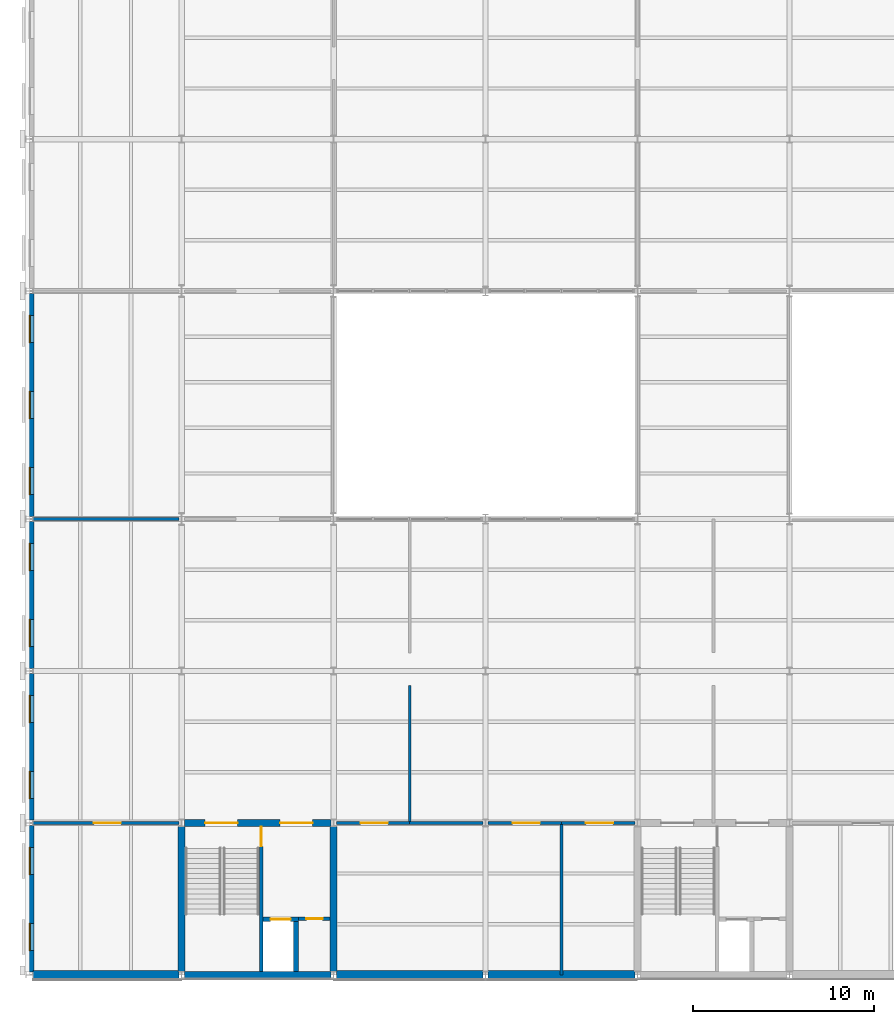
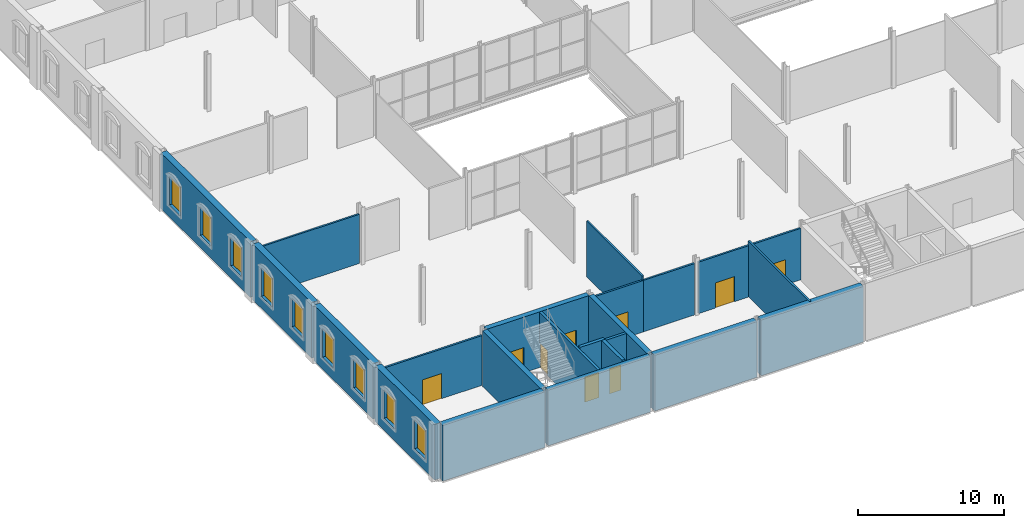
# One storey, part 27 of 57: 23 walls, 9 doors, 9 windows, 18 openings.
"""IFC4 building model written with IfcOpenShell, lengths in metres."""

from ifc_helpers import new_model, si_unit, direction, frame, frame_2d, origin, place, context, subcontext, project, spatial, rectangle, extrude, material, layer, layer_set, type_object, element, fill, save


model = new_model("IFC4")

# Units and contexts
model_context = context("Model", 3, precision=1e-05, world=origin(), true_north=direction((0.0, 1.0)))
body_context = subcontext(model_context, "Body", "Model", "MODEL_VIEW")
ifc_project = project(units=[si_unit("LENGTHUNIT", "METRE"), si_unit("AREAUNIT", "SQUARE_METRE"), si_unit("VOLUMEUNIT", "CUBIC_METRE"), si_unit("PLANEANGLEUNIT", "RADIAN"), si_unit("MASSUNIT", "GRAM", prefix="KILO")], contexts=[model_context])

# Site, building, storey
site_placement = place(None, origin())
site = spatial("IfcSite", under=ifc_project, at=site_placement, CompositionType="ELEMENT")
building_placement = place(site_placement, origin())
building = spatial("IfcBuilding", under=site, at=building_placement, Name="Galleria Vessillo Department Store", CompositionType="ELEMENT")
storey_placement = place(building_placement, frame((0.0, 0.0, 21.0)))
storey = spatial("IfcBuildingStorey", under=building, at=storey_placement, Name="L04", CompositionType="ELEMENT", Elevation=21.0)

# Wall, opening, door
ifc_material_1 = material(Name="Solid clay block masonry", Category="masonry")
ifc_layer_1 = layer(ifc_material_1, 0.25)
ifc_layer_set_1 = layer_set([ifc_layer_1], Name="Solid clay block masonry")
wall_type_1 = type_object("IfcWallType", Name="Lift shaft wall 250 mm", PredefinedType="SOLIDWALL", material=ifc_layer_set_1)
wall_1_placement = place(storey_placement, frame((12.89990234375, 3.074951171875, 0.0), z_axis=(0.0, 0.0, 1.0), x_axis=(1.0, 0.0, 0.0)))
wall_1 = element("IfcWall", 1, at=wall_1_placement, inside=storey, type_object=wall_type_1, Name="Lift shaft wall LP1 landing side L04", PredefinedType="SOLIDWALL", context=body_context, shape_type="SweptSolid", body=[
    extrude(rectangle(XDim=1.9501953125, YDim=0.25, at=frame_2d((0.97509765625, 0.0))), origin(), (0.0, 0.0, 1.0), 4.800048828125),
])
opening_1_placement = place(wall_1_placement, frame((0.425048828125, 0.0, 0.0)))
opening_1 = element("IfcOpeningElement", 2, at=opening_1_placement, cuts=wall_1, Name="Opening LD007", PredefinedType="OPENING", context=body_context, shape_type="SweptSolid", body=[
    extrude(rectangle(XDim=1.10009765625, YDim=2.10009765625, at=frame_2d((0.550048828125, 1.050048828125))), frame((0.0, 0.135009765625, 0.0), z_axis=(0.0, -1.0, 0.0), x_axis=(1.0, 0.0, 0.0)), (0.0, 0.0, 1.0), 0.27001953125),
])
ifc_material_2 = material(Name="Stainless steel lift door panel", Category="steel")
door_type_1 = type_object("IfcDoorType", Name="Lift landing door LD110 sliding 1100 x 2100", OperationType="SLIDING_TO_LEFT", PredefinedType="DOOR", material=ifc_material_2)
door_1_placement = place(opening_1_placement, origin())
door_1 = element("IfcDoor", 3, at=door_1_placement, inside=storey, type_object=door_type_1, Name="Lift landing door LP1 L04", OperationType="SLIDING_TO_LEFT", OverallHeight=2.10009765625, OverallWidth=1.10009765625, PredefinedType="DOOR", context=body_context, shape_type="SweptSolid", body=[
    extrude(rectangle(XDim=1.10009765625, YDim=2.10009765625, at=frame_2d((0.550048828125, 1.050048828125))), frame((0.0, 0.02490234375, 0.0), z_axis=(0.0, -1.0, 0.0), x_axis=(1.0, 0.0, 0.0)), (0.0, 0.0, 1.0), 0.050048828125),
])
fill(opening_1, door_1)

# Wall
wall_2_placement = place(storey_placement, frame((14.72509765625, 0.199951171875, 0.0), z_axis=(0.0, 0.0, 1.0), x_axis=(0.0, 1.0, 0.0)))
element("IfcWall", 4, at=wall_2_placement, inside=storey, type_object=wall_type_1, Name="Lift shaft wall LP1 L04", PredefinedType="SOLIDWALL", context=body_context, shape_type="SweptSolid", body=[
    extrude(rectangle(XDim=2.75, YDim=0.25, at=frame_2d((1.375, 0.0))), origin(), (0.0, 0.0, 1.0), 4.800048828125),
])

# Wall, openings, windows
ifc_material_3 = material(Name="Reinforced masonry, limestone units 80 MPa", Category="masonry")
ifc_layer_2 = layer(ifc_material_3, 0.5)
ifc_layer_set_2 = layer_set([ifc_layer_2], Name="Reinforced masonry, limestone units 80 MPa")
wall_type_2 = type_object("IfcWallType", Name="Load-bearing limestone-faced wall 500 mm", PredefinedType="STANDARD", material=ifc_layer_set_2)
wall_3_placement = place(storey_placement, frame((0.0, 0.14990234375, 0.0), z_axis=(0.0, 0.0, 1.0), x_axis=(0.0, 1.0, 0.0)))
wall_3 = element("IfcWall", 5, at=wall_3_placement, inside=storey, type_object=wall_type_2, Name="Load-bearing limestone-faced wall 500 mm SW-L04-01", PredefinedType="STANDARD", context=body_context, shape_type="SweptSolid", body=[
    extrude(rectangle(XDim=8.10009765625, YDim=0.5, at=frame_2d((4.050048828125, 0.0))), origin(), (0.0, 0.0, 1.0), 4.650146484375),
])
opening_2_placement = place(wall_3_placement, frame((1.2001953125, 0.0, 1.0)))
opening_2 = element("IfcOpeningElement", 6, at=opening_2_placement, cuts=wall_3, Name="Opening W039", PredefinedType="OPENING", context=body_context, shape_type="SweptSolid", body=[
    extrude(rectangle(XDim=1.5, YDim=2.39990234375, at=frame_2d((0.75, 1.199951171875))), frame((0.0, 0.260009765625, 0.0), z_axis=(0.0, -1.0, 0.0), x_axis=(1.0, 0.0, 0.0)), (0.0, 0.0, 1.0), 0.52001953125),
])
opening_3_placement = place(wall_3_placement, frame((5.400146484375, 0.0, 1.0)))
opening_3 = element("IfcOpeningElement", 7, at=opening_3_placement, cuts=wall_3, Name="Opening W040", PredefinedType="OPENING", context=body_context, shape_type="SweptSolid", body=[
    extrude(rectangle(XDim=1.5, YDim=2.39990234375, at=frame_2d((0.75, 1.199951171875))), frame((0.0, 0.260009765625, 0.0), z_axis=(0.0, -1.0, 0.0), x_axis=(1.0, 0.0, 0.0)), (0.0, 0.0, 1.0), 0.52001953125),
])
ifc_material_4 = material(Name="Aluminium frame with laminated glass 44.2", Category="aluminium")
window_type = type_object("IfcWindowType", Name="Third order window 1500 x 2400", PartitioningType="SINGLE_PANEL", PredefinedType="WINDOW", material=ifc_material_4)
window_1_placement = place(opening_2_placement, origin())
window_1 = element("IfcWindow", 8, at=window_1_placement, inside=storey, type_object=window_type, Name="E-WIN-SW-L04-01-039", OverallHeight=2.39990234375, OverallWidth=1.5, PartitioningType="SINGLE_PANEL", PredefinedType="WINDOW", context=body_context, shape_type="SweptSolid", body=[
    extrude(rectangle(XDim=1.5, YDim=2.39990234375, at=frame_2d((0.75, 1.199951171875))), frame((0.0, 0.030029296875, 0.0), z_axis=(0.0, -1.0, 0.0), x_axis=(1.0, 0.0, 0.0)), (0.0, 0.0, 1.0), 0.06005859375),
])
fill(opening_2, window_1)
window_2_placement = place(opening_3_placement, origin())
window_2 = element("IfcWindow", 9, at=window_2_placement, inside=storey, type_object=window_type, Name="E-WIN-SW-L04-01-040", OverallHeight=2.39990234375, OverallWidth=1.5, PartitioningType="SINGLE_PANEL", PredefinedType="WINDOW", context=body_context, shape_type="SweptSolid", body=[
    extrude(rectangle(XDim=1.5, YDim=2.39990234375, at=frame_2d((0.75, 1.199951171875))), frame((0.0, 0.030029296875, 0.0), z_axis=(0.0, -1.0, 0.0), x_axis=(1.0, 0.0, 0.0)), (0.0, 0.0, 1.0), 0.06005859375),
])
fill(opening_3, window_2)

wall_4_placement = place(storey_placement, frame((0.0, 8.5498046875, 0.0), z_axis=(0.0, 0.0, 1.0), x_axis=(0.0, 1.0, 0.0)))
wall_4 = element("IfcWall", 10, at=wall_4_placement, inside=storey, type_object=wall_type_2, Name="Load-bearing limestone-faced wall 500 mm SW-L04-02", PredefinedType="STANDARD", context=body_context, shape_type="SweptSolid", body=[
    extrude(rectangle(XDim=8.100341796875, YDim=0.5, at=frame_2d((4.05029296875, 0.0))), origin(), (0.0, 0.0, 1.0), 4.650146484375),
])
opening_4_placement = place(wall_4_placement, frame((1.2001953125, 0.0, 1.0)))
opening_4 = element("IfcOpeningElement", 11, at=opening_4_placement, cuts=wall_4, Name="Opening W041", PredefinedType="OPENING", context=body_context, shape_type="SweptSolid", body=[
    extrude(rectangle(XDim=1.5, YDim=2.39990234375, at=frame_2d((0.75, 1.199951171875))), frame((0.0, 0.260009765625, 0.0), z_axis=(0.0, -1.0, 0.0), x_axis=(1.0, 0.0, 0.0)), (0.0, 0.0, 1.0), 0.52001953125),
])
opening_5_placement = place(wall_4_placement, frame((5.400146484375, 0.0, 1.0)))
opening_5 = element("IfcOpeningElement", 12, at=opening_5_placement, cuts=wall_4, Name="Opening W042", PredefinedType="OPENING", context=body_context, shape_type="SweptSolid", body=[
    extrude(rectangle(XDim=1.5, YDim=2.39990234375, at=frame_2d((0.75, 1.199951171875))), frame((0.0, 0.260009765625, 0.0), z_axis=(0.0, -1.0, 0.0), x_axis=(1.0, 0.0, 0.0)), (0.0, 0.0, 1.0), 0.52001953125),
])
window_3_placement = place(opening_4_placement, origin())
window_3 = element("IfcWindow", 13, at=window_3_placement, inside=storey, type_object=window_type, Name="E-WIN-SW-L04-02-041", OverallHeight=2.39990234375, OverallWidth=1.5, PartitioningType="SINGLE_PANEL", PredefinedType="WINDOW", context=body_context, shape_type="SweptSolid", body=[
    extrude(rectangle(XDim=1.5, YDim=2.39990234375, at=frame_2d((0.75, 1.199951171875))), frame((0.0, 0.030029296875, 0.0), z_axis=(0.0, -1.0, 0.0), x_axis=(1.0, 0.0, 0.0)), (0.0, 0.0, 1.0), 0.06005859375),
])
fill(opening_4, window_3)
window_4_placement = place(opening_5_placement, origin())
window_4 = element("IfcWindow", 14, at=window_4_placement, inside=storey, type_object=window_type, Name="E-WIN-SW-L04-02-042", OverallHeight=2.39990234375, OverallWidth=1.5, PartitioningType="SINGLE_PANEL", PredefinedType="WINDOW", context=body_context, shape_type="SweptSolid", body=[
    extrude(rectangle(XDim=1.5, YDim=2.39990234375, at=frame_2d((0.75, 1.199951171875))), frame((0.0, 0.030029296875, 0.0), z_axis=(0.0, -1.0, 0.0), x_axis=(1.0, 0.0, 0.0)), (0.0, 0.0, 1.0), 0.06005859375),
])
fill(opening_5, window_4)

wall_5_placement = place(storey_placement, frame((0.0, 16.949951171875, 0.0), z_axis=(0.0, 0.0, 1.0), x_axis=(0.0, 1.0, 0.0)))
wall_5 = element("IfcWall", 15, at=wall_5_placement, inside=storey, type_object=wall_type_2, Name="Load-bearing limestone-faced wall 500 mm SW-L04-03", PredefinedType="STANDARD", context=body_context, shape_type="SweptSolid", body=[
    extrude(rectangle(XDim=8.10009765625, YDim=0.5, at=frame_2d((4.050048828125, 0.0))), origin(), (0.0, 0.0, 1.0), 4.650146484375),
])
opening_6_placement = place(wall_5_placement, frame((1.199951171875, 0.0, 1.0)))
opening_6 = element("IfcOpeningElement", 16, at=opening_6_placement, cuts=wall_5, Name="Opening W043", PredefinedType="OPENING", context=body_context, shape_type="SweptSolid", body=[
    extrude(rectangle(XDim=1.5, YDim=2.39990234375, at=frame_2d((0.75, 1.199951171875))), frame((0.0, 0.260009765625, 0.0), z_axis=(0.0, -1.0, 0.0), x_axis=(1.0, 0.0, 0.0)), (0.0, 0.0, 1.0), 0.52001953125),
])
opening_7_placement = place(wall_5_placement, frame((5.400146484375, 0.0, 1.0)))
opening_7 = element("IfcOpeningElement", 17, at=opening_7_placement, cuts=wall_5, Name="Opening W044", PredefinedType="OPENING", context=body_context, shape_type="SweptSolid", body=[
    extrude(rectangle(XDim=1.5, YDim=2.39990234375, at=frame_2d((0.75, 1.199951171875))), frame((0.0, 0.260009765625, 0.0), z_axis=(0.0, -1.0, 0.0), x_axis=(1.0, 0.0, 0.0)), (0.0, 0.0, 1.0), 0.52001953125),
])
window_5_placement = place(opening_6_placement, origin())
window_5 = element("IfcWindow", 18, at=window_5_placement, inside=storey, type_object=window_type, Name="E-WIN-SW-L04-03-043", OverallHeight=2.39990234375, OverallWidth=1.5, PartitioningType="SINGLE_PANEL", PredefinedType="WINDOW", context=body_context, shape_type="SweptSolid", body=[
    extrude(rectangle(XDim=1.5, YDim=2.39990234375, at=frame_2d((0.75, 1.199951171875))), frame((0.0, 0.030029296875, 0.0), z_axis=(0.0, -1.0, 0.0), x_axis=(1.0, 0.0, 0.0)), (0.0, 0.0, 1.0), 0.06005859375),
])
fill(opening_6, window_5)
window_6_placement = place(opening_7_placement, origin())
window_6 = element("IfcWindow", 19, at=window_6_placement, inside=storey, type_object=window_type, Name="E-WIN-SW-L04-03-044", OverallHeight=2.39990234375, OverallWidth=1.5, PartitioningType="SINGLE_PANEL", PredefinedType="WINDOW", context=body_context, shape_type="SweptSolid", body=[
    extrude(rectangle(XDim=1.5, YDim=2.39990234375, at=frame_2d((0.75, 1.199951171875))), frame((0.0, 0.030029296875, 0.0), z_axis=(0.0, -1.0, 0.0), x_axis=(1.0, 0.0, 0.0)), (0.0, 0.0, 1.0), 0.06005859375),
])
fill(opening_7, window_6)

wall_6_placement = place(storey_placement, frame((0.0, 25.349853515625, 0.0), z_axis=(0.0, 0.0, 1.0), x_axis=(0.0, 1.0, 0.0)))
wall_6 = element("IfcWall", 20, at=wall_6_placement, inside=storey, type_object=wall_type_2, Name="Load-bearing limestone-faced wall 500 mm SW-L04-04", PredefinedType="STANDARD", context=body_context, shape_type="SweptSolid", body=[
    extrude(rectangle(XDim=12.30029296875, YDim=0.5, at=frame_2d((6.150146484375, 0.0))), origin(), (0.0, 0.0, 1.0), 4.650146484375),
])
opening_8_placement = place(wall_6_placement, frame((1.2001953125, 0.0, 1.0)))
opening_8 = element("IfcOpeningElement", 21, at=opening_8_placement, cuts=wall_6, Name="Opening W045", PredefinedType="OPENING", context=body_context, shape_type="SweptSolid", body=[
    extrude(rectangle(XDim=1.5, YDim=2.39990234375, at=frame_2d((0.75, 1.199951171875))), frame((0.0, 0.260009765625, 0.0), z_axis=(0.0, -1.0, 0.0), x_axis=(1.0, 0.0, 0.0)), (0.0, 0.0, 1.0), 0.52001953125),
])
opening_9_placement = place(wall_6_placement, frame((5.400146484375, 0.0, 1.0)))
opening_9 = element("IfcOpeningElement", 22, at=opening_9_placement, cuts=wall_6, Name="Opening W046", PredefinedType="OPENING", context=body_context, shape_type="SweptSolid", body=[
    extrude(rectangle(XDim=1.5, YDim=2.39990234375, at=frame_2d((0.75, 1.199951171875))), frame((0.0, 0.260009765625, 0.0), z_axis=(0.0, -1.0, 0.0), x_axis=(1.0, 0.0, 0.0)), (0.0, 0.0, 1.0), 0.52001953125),
])
opening_10_placement = place(wall_6_placement, frame((9.60009765625, 0.0, 1.0)))
opening_10 = element("IfcOpeningElement", 23, at=opening_10_placement, cuts=wall_6, Name="Opening W047", PredefinedType="OPENING", context=body_context, shape_type="SweptSolid", body=[
    extrude(rectangle(XDim=1.5, YDim=2.39990234375, at=frame_2d((0.75, 1.199951171875))), frame((0.0, 0.260009765625, 0.0), z_axis=(0.0, -1.0, 0.0), x_axis=(1.0, 0.0, 0.0)), (0.0, 0.0, 1.0), 0.52001953125),
])
window_7_placement = place(opening_8_placement, origin())
window_7 = element("IfcWindow", 24, at=window_7_placement, inside=storey, type_object=window_type, Name="E-WIN-SW-L04-04-045", OverallHeight=2.39990234375, OverallWidth=1.5, PartitioningType="SINGLE_PANEL", PredefinedType="WINDOW", context=body_context, shape_type="SweptSolid", body=[
    extrude(rectangle(XDim=1.5, YDim=2.39990234375, at=frame_2d((0.75, 1.199951171875))), frame((0.0, 0.030029296875, 0.0), z_axis=(0.0, -1.0, 0.0), x_axis=(1.0, 0.0, 0.0)), (0.0, 0.0, 1.0), 0.06005859375),
])
fill(opening_8, window_7)
window_8_placement = place(opening_9_placement, origin())
window_8 = element("IfcWindow", 25, at=window_8_placement, inside=storey, type_object=window_type, Name="E-WIN-SW-L04-04-046", OverallHeight=2.39990234375, OverallWidth=1.5, PartitioningType="SINGLE_PANEL", PredefinedType="WINDOW", context=body_context, shape_type="SweptSolid", body=[
    extrude(rectangle(XDim=1.5, YDim=2.39990234375, at=frame_2d((0.75, 1.199951171875))), frame((0.0, 0.030029296875, 0.0), z_axis=(0.0, -1.0, 0.0), x_axis=(1.0, 0.0, 0.0)), (0.0, 0.0, 1.0), 0.06005859375),
])
fill(opening_9, window_8)
window_9_placement = place(opening_10_placement, origin())
window_9 = element("IfcWindow", 26, at=window_9_placement, inside=storey, type_object=window_type, Name="E-WIN-SW-L04-04-047", OverallHeight=2.39990234375, OverallWidth=1.5, PartitioningType="SINGLE_PANEL", PredefinedType="WINDOW", context=body_context, shape_type="SweptSolid", body=[
    extrude(rectangle(XDim=1.5, YDim=2.39990234375, at=frame_2d((0.75, 1.199951171875))), frame((0.0, 0.030029296875, 0.0), z_axis=(0.0, -1.0, 0.0), x_axis=(1.0, 0.0, 0.0)), (0.0, 0.0, 1.0), 0.06005859375),
])
fill(opening_10, window_9)

# Wall, openings, doors
ifc_material_5 = material(Name="Concrete C32/40 reinforced", Category="concrete")
ifc_layer_3 = layer(ifc_material_5, 0.39990234375)
ifc_layer_set_3 = layer_set([ifc_layer_3], Name="Concrete C32/40 reinforced")
wall_type_3 = type_object("IfcWallType", Name="Reinforced concrete core wall 400 mm", PredefinedType="SHEAR", material=ifc_layer_set_3)
wall_7_placement = place(storey_placement, frame((8.5498046875, 8.39990234375, 0.0), z_axis=(0.0, 0.0, 1.0), x_axis=(1.0, 0.0, 0.0)))
wall_7 = element("IfcWall", 27, at=wall_7_placement, inside=storey, type_object=wall_type_3, Name="S-CW-PC-SW-INTERIOR-L04", PredefinedType="SHEAR", context=body_context, shape_type="SweptSolid", body=[
    extrude(rectangle(XDim=8.100341796875, YDim=0.39990234375, at=frame_2d((4.05029296875, 0.0))), origin(), (0.0, 0.0, 1.0), 4.650146484375),
])
opening_11_placement = place(wall_7_placement, frame((1.150146484375, 0.0, 0.0)))
opening_11 = element("IfcOpeningElement", 28, at=opening_11_placement, cuts=wall_7, Name="Opening D5027", PredefinedType="OPENING", context=body_context, shape_type="SweptSolid", body=[
    extrude(rectangle(XDim=1.800048828125, YDim=2.10009765625, at=frame_2d((0.89990234375, 1.050048828125))), frame((0.0, 0.2099609375, 0.0), z_axis=(0.0, -1.0, 0.0), x_axis=(1.0, 0.0, 0.0)), (0.0, 0.0, 1.0), 0.419921875),
])
opening_12_placement = place(wall_7_placement, frame((5.300048828125, 0.0, 0.0)))
opening_12 = element("IfcOpeningElement", 29, at=opening_12_placement, cuts=wall_7, Name="Opening D5028", PredefinedType="OPENING", context=body_context, shape_type="SweptSolid", body=[
    extrude(rectangle(XDim=1.800048828125, YDim=2.10009765625, at=frame_2d((0.89990234375, 1.050048828125))), frame((0.0, 0.2099609375, 0.0), z_axis=(0.0, -1.0, 0.0), x_axis=(1.0, 0.0, 0.0)), (0.0, 0.0, 1.0), 0.419921875),
])
ifc_material_6 = material(Name="Fire-rated steel door leaf", Category="steel")
door_type_2 = type_object("IfcDoorType", Name="Door D180F double leaf 1800 x 2100", OperationType="DOUBLE_DOOR_SINGLE_SWING", PredefinedType="DOOR", material=ifc_material_6)
door_2_placement = place(opening_11_placement, frame((1.800048828125, 0.0, 0.0), z_axis=(0.0, 0.0, 1.0), x_axis=(-1.0, 0.0, 0.0)))
door_2 = element("IfcDoor", 30, at=door_2_placement, inside=storey, type_object=door_type_2, Name="Lobby door PC-SW-ST-FLOOR L04", OperationType="DOUBLE_DOOR_SINGLE_SWING", OverallHeight=2.10009765625, OverallWidth=1.800048828125, PredefinedType="DOOR", context=body_context, shape_type="SweptSolid", body=[
    extrude(rectangle(XDim=1.800048828125, YDim=2.10009765625, at=frame_2d((0.89990234375, 1.050048828125))), frame((0.0, 0.02490234375, 0.0), z_axis=(0.0, -1.0, 0.0), x_axis=(1.0, 0.0, 0.0)), (0.0, 0.0, 1.0), 0.050048828125),
])
fill(opening_11, door_2)
door_3_placement = place(opening_12_placement, frame((1.800048828125, 0.0, 0.0), z_axis=(0.0, 0.0, 1.0), x_axis=(-1.0, 0.0, 0.0)))
door_3 = element("IfcDoor", 31, at=door_3_placement, inside=storey, type_object=door_type_2, Name="Lobby door PC-SW-LOBBY-FLOOR L04", OperationType="DOUBLE_DOOR_SINGLE_SWING", OverallHeight=2.10009765625, OverallWidth=1.800048828125, PredefinedType="DOOR", context=body_context, shape_type="SweptSolid", body=[
    extrude(rectangle(XDim=1.800048828125, YDim=2.10009765625, at=frame_2d((0.89990234375, 1.050048828125))), frame((0.0, 0.02490234375, 0.0), z_axis=(0.0, -1.0, 0.0), x_axis=(1.0, 0.0, 0.0)), (0.0, 0.0, 1.0), 0.050048828125),
])
fill(opening_12, door_3)

# Walls
wall_8_placement = place(storey_placement, frame((16.800048828125, 0.199951171875, 0.0), z_axis=(0.0, 0.0, 1.0), x_axis=(0.0, 1.0, 0.0)))
element("IfcWall", 32, at=wall_8_placement, inside=storey, type_object=wall_type_3, Name="S-CW-PC-SW-EAST-L04", PredefinedType="SHEAR", context=body_context, shape_type="SweptSolid", body=[
    extrude(rectangle(XDim=8.0, YDim=0.39990234375, at=frame_2d((4.0, 0.0))), origin(), (0.0, 0.0, 1.0), 4.650146484375),
])
ifc_material_7 = material(Name="Concrete C32/40 reinforced", Category="concrete")
ifc_layer_4 = layer(ifc_material_7, 0.39990234375)
ifc_layer_set_4 = layer_set([ifc_layer_4], Name="Concrete C32/40 reinforced")
wall_type_4 = type_object("IfcWallType", Name="Reinforced concrete core wall 400 mm, external", PredefinedType="SHEAR", material=ifc_layer_set_4)
wall_9_placement = place(storey_placement, frame((8.5498046875, 0.0, 0.0), z_axis=(0.0, 0.0, 1.0), x_axis=(1.0, 0.0, 0.0)))
element("IfcWall", 33, at=wall_9_placement, inside=storey, type_object=wall_type_4, Name="S-CW-PC-SW-PARTY-L04", PredefinedType="SHEAR", context=body_context, shape_type="SweptSolid", body=[
    extrude(rectangle(XDim=8.100341796875, YDim=0.39990234375, at=frame_2d((4.05029296875, 0.0))), origin(), (0.0, 0.0, 1.0), 4.650146484375),
])
wall_10_placement = place(storey_placement, frame((8.39990234375, 0.199951171875, 0.0), z_axis=(0.0, 0.0, 1.0), x_axis=(0.0, 1.0, 0.0)))
element("IfcWall", 34, at=wall_10_placement, inside=storey, type_object=wall_type_4, Name="S-CW-PC-SW-WEST-L04", PredefinedType="SHEAR", context=body_context, shape_type="SweptSolid", body=[
    extrude(rectangle(XDim=8.0, YDim=0.39990234375, at=frame_2d((4.0, 0.0))), origin(), (0.0, 0.0, 1.0), 4.650146484375),
])
ifc_material_8 = material(Name="Concrete C32/40 reinforced", Category="concrete")
ifc_layer_5 = layer(ifc_material_8, 0.5)
ifc_layer_set_5 = layer_set([ifc_layer_5], Name="Concrete C32/40 reinforced")
wall_type_5 = type_object("IfcWallType", Name="Reinforced concrete party wall 500 mm", PredefinedType="SHEAR", material=ifc_layer_set_5)
wall_11_placement = place(storey_placement, frame((0.199951171875, 0.0, 0.0), z_axis=(0.0, 0.0, 1.0), x_axis=(1.0, 0.0, 0.0)))
element("IfcWall", 35, at=wall_11_placement, inside=storey, type_object=wall_type_5, Name="S-PS-L04-01", PredefinedType="SHEAR", context=body_context, shape_type="SweptSolid", body=[
    extrude(rectangle(XDim=8.050048828125, YDim=0.5, at=frame_2d((4.02490234375, 0.0))), origin(), (0.0, 0.0, 1.0), 4.650146484375),
])
wall_12_placement = place(storey_placement, frame((16.949951171875, 0.0, 0.0), z_axis=(0.0, 0.0, 1.0), x_axis=(1.0, 0.0, 0.0)))
element("IfcWall", 36, at=wall_12_placement, inside=storey, type_object=wall_type_5, Name="S-PS-L04-02", PredefinedType="SHEAR", context=body_context, shape_type="SweptSolid", body=[
    extrude(rectangle(XDim=8.10009765625, YDim=0.5, at=frame_2d((4.050048828125, 0.0))), origin(), (0.0, 0.0, 1.0), 4.650146484375),
])
wall_13_placement = place(storey_placement, frame((25.349853515625, 0.0, 0.0), z_axis=(0.0, 0.0, 1.0), x_axis=(1.0, 0.0, 0.0)))
element("IfcWall", 37, at=wall_13_placement, inside=storey, type_object=wall_type_5, Name="S-PS-L04-03", PredefinedType="SHEAR", context=body_context, shape_type="SweptSolid", body=[
    extrude(rectangle(XDim=8.100341796875, YDim=0.5, at=frame_2d((4.05029296875, 0.0))), origin(), (0.0, 0.0, 1.0), 4.650146484375),
])

# Wall, opening, door
ifc_material_9 = material(Name="Concrete C32/40 reinforced", Category="concrete")
ifc_layer_6 = layer(ifc_material_9, 0.199951171875)
ifc_layer_set_6 = layer_set([ifc_layer_6], Name="Concrete C32/40 reinforced")
wall_type_6 = type_object("IfcWallType", Name="Reinforced concrete stair enclosure wall 200 mm", PredefinedType="SHEAR", material=ifc_layer_set_6)
wall_14_placement = place(storey_placement, frame((12.7998046875, 0.199951171875, 0.0), z_axis=(0.0, 0.0, 1.0), x_axis=(0.0, 1.0, 0.0)))
wall_14 = element("IfcWall", 38, at=wall_14_placement, inside=storey, type_object=wall_type_6, Name="Stair enclosure wall PC-SW L04", PredefinedType="SHEAR", context=body_context, shape_type="SweptSolid", body=[
    extrude(rectangle(XDim=8.0, YDim=0.199951171875, at=frame_2d((4.0, 0.0))), origin(), (0.0, 0.0, 1.0), 4.64990234375),
])
opening_13_placement = place(wall_14_placement, frame((6.89990234375, 0.0, 0.0)))
opening_13 = element("IfcOpeningElement", 39, at=opening_13_placement, cuts=wall_14, Name="Opening D5025", PredefinedType="OPENING", context=body_context, shape_type="SweptSolid", body=[
    extrude(rectangle(XDim=1.11009765625, YDim=2.10009765625, at=frame_2d((0.554931640625, 1.050048828125))), frame((0.0, 0.10986328125, 0.0), z_axis=(0.0, -1.0, 0.0), x_axis=(1.0, 0.0, 0.0)), (0.0, 0.0, 1.0), 0.219970703125),
])
ifc_material_10 = material(Name="Fire-rated steel door leaf", Category="steel")
door_type_3 = type_object("IfcDoorType", Name="Door D110F stair door 1100 x 2100", OperationType="SINGLE_SWING_LEFT", PredefinedType="DOOR", material=ifc_material_10)
door_4_placement = place(opening_13_placement, origin())
door_4 = element("IfcDoor", 40, at=door_4_placement, inside=storey, type_object=door_type_3, Name="Stair door PC-SW-ST-LOBBY L04", OperationType="SINGLE_SWING_RIGHT", OverallHeight=2.10009765625, OverallWidth=1.10009765625, PredefinedType="DOOR", context=body_context, shape_type="SweptSolid", body=[
    extrude(rectangle(XDim=1.10009765625, YDim=2.10009765625, at=frame_2d((0.550048828125, 1.050048828125))), frame((0.0, 0.02490234375, 0.0), z_axis=(0.0, -1.0, 0.0), x_axis=(1.0, 0.0, 0.0)), (0.0, 0.0, 1.0), 0.050048828125),
])
fill(opening_13, door_4)

ifc_material_11 = material(Name="Hollow clay block masonry", Category="masonry")
ifc_layer_7 = layer(ifc_material_11, 0.199951171875)
ifc_layer_set_7 = layer_set([ifc_layer_7], Name="Hollow clay block masonry")
wall_type_7 = type_object("IfcWallType", Name="Riser and service room wall 200 mm", PredefinedType="PARTITIONING", material=ifc_layer_set_7)
wall_15_placement = place(storey_placement, frame((14.85009765625, 3.099853515625, 0.0), z_axis=(0.0, 0.0, 1.0), x_axis=(1.0, 0.0, 0.0)))
wall_15 = element("IfcWall", 41, at=wall_15_placement, inside=storey, type_object=wall_type_7, Name="Riser wall PC-SW-RISER L04", PredefinedType="PARTITIONING", context=body_context, shape_type="SweptSolid", body=[
    extrude(rectangle(XDim=1.75, YDim=0.199951171875, at=frame_2d((0.875, 0.0))), origin(), (0.0, 0.0, 1.0), 4.64990234375),
])
opening_14_placement = place(wall_15_placement, frame((0.449951171875, 0.0, 0.0)))
opening_14 = element("IfcOpeningElement", 42, at=opening_14_placement, cuts=wall_15, Name="Opening D5026", PredefinedType="OPENING", context=body_context, shape_type="SweptSolid", body=[
    extrude(rectangle(XDim=0.89990234375, YDim=2.10009765625, at=frame_2d((0.449951171875, 1.050048828125))), frame((0.0, 0.10986328125, 0.0), z_axis=(0.0, -1.0, 0.0), x_axis=(1.0, 0.0, 0.0)), (0.0, 0.0, 1.0), 0.219970703125),
])
ifc_material_12 = material(Name="Fire-rated steel door leaf", Category="steel")
door_type_4 = type_object("IfcDoorType", Name="Door DR90 riser access 900 x 2100", OperationType="SINGLE_SWING_LEFT", PredefinedType="DOOR", material=ifc_material_12)
door_5_placement = place(opening_14_placement, frame((0.89990234375, 0.0, 0.0), z_axis=(0.0, 0.0, 1.0), x_axis=(-1.0, 0.0, 0.0)))
door_5 = element("IfcDoor", 43, at=door_5_placement, inside=storey, type_object=door_type_4, Name="Riser door PC-SW-RISER-D L04", OperationType="SINGLE_SWING_LEFT", OverallHeight=2.10009765625, OverallWidth=0.89990234375, PredefinedType="DOOR", context=body_context, shape_type="SweptSolid", body=[
    extrude(rectangle(XDim=0.89990234375, YDim=2.10009765625, at=frame_2d((0.449951171875, 1.050048828125))), frame((0.0, 0.02490234375, 0.0), z_axis=(0.0, -1.0, 0.0), x_axis=(1.0, 0.0, 0.0)), (0.0, 0.0, 1.0), 0.050048828125),
])
fill(opening_14, door_5)

# Walls
ifc_material_13 = material(Name="Gypsum board partition")
ifc_layer_8 = layer(ifc_material_13, 0.139892578125)
ifc_layer_set_8 = layer_set([ifc_layer_8], Name="Gypsum board partition")
wall_type_8 = type_object("IfcWallType", Name="Sales dividing wall 140 mm", PredefinedType="PARTITIONING", material=ifc_layer_set_8)
wall_16_placement = place(storey_placement, frame((21.0, 8.39990234375, 0.0), z_axis=(0.0, 0.0, 1.0), x_axis=(0.0, 1.0, 0.0)))
element("IfcWall", 44, at=wall_16_placement, inside=storey, type_object=wall_type_8, Name="Partition wall PT3 on L04 no. 037", PredefinedType="PARTITIONING", context=body_context, shape_type="SweptSolid", body=[
    extrude(rectangle(XDim=7.60009765625, YDim=0.139892578125, at=frame_2d((3.800048828125, 0.0))), origin(), (0.0, 0.0, 1.0), 4.650146484375),
])
wall_17_placement = place(storey_placement, frame((0.199951171875, 25.199951171875, 0.0), z_axis=(0.0, 0.0, 1.0), x_axis=(1.0, 0.0, 0.0)))
element("IfcWall", 45, at=wall_17_placement, inside=storey, type_object=wall_type_8, Name="Partition wall PT3 on L04 no. 039", PredefinedType="PARTITIONING", context=body_context, shape_type="SweptSolid", body=[
    extrude(rectangle(XDim=8.04736328125, YDim=0.139892578125, at=frame_2d((4.023681640625, 0.0))), origin(), (0.0, 0.0, 1.0), 4.110107421875),
])
ifc_material_14 = material(Name="Concrete blockwork", Category="masonry")
ifc_layer_9 = layer(ifc_material_14, 0.14990234375)
ifc_layer_set_9 = layer_set([ifc_layer_9], Name="Concrete blockwork")
wall_type_9 = type_object("IfcWallType", Name="Stockroom blockwork wall 150 mm", PredefinedType="SOLIDWALL", material=ifc_layer_set_9)
wall_18_placement = place(storey_placement, frame((29.39990234375, 0.0, 0.0), z_axis=(0.0, 0.0, 1.0), x_axis=(0.0, 1.0, 0.0)))
element("IfcWall", 46, at=wall_18_placement, inside=storey, type_object=wall_type_9, Name="Partition wall PT4 on L04 no. 013", PredefinedType="SOLIDWALL", context=body_context, shape_type="SweptSolid", body=[
    extrude(rectangle(XDim=8.39990234375, YDim=0.14990234375, at=frame_2d((4.199951171875, 0.0))), origin(), (0.0, 0.0, 1.0), 4.650146484375),
])

# Wall, opening, door
wall_19_placement = place(storey_placement, frame((16.949951171875, 8.39990234375, 0.0), z_axis=(0.0, 0.0, 1.0), x_axis=(1.0, 0.0, 0.0)))
wall_19 = element("IfcWall", 47, at=wall_19_placement, inside=storey, type_object=wall_type_9, Name="Partition wall PT4 on L04 no. 014", PredefinedType="SOLIDWALL", context=body_context, shape_type="SweptSolid", body=[
    extrude(rectangle(XDim=4.050048828125, YDim=0.14990234375, at=frame_2d((2.02490234375, 0.0))), origin(), (0.0, 0.0, 1.0), 4.300048828125),
])
opening_15_placement = place(wall_19_placement, frame((1.35009765625, 0.0, 0.0)))
opening_15 = element("IfcOpeningElement", 48, at=opening_15_placement, cuts=wall_19, Name="Opening D2607", PredefinedType="OPENING", context=body_context, shape_type="SweptSolid", body=[
    extrude(rectangle(XDim=1.5, YDim=2.10009765625, at=frame_2d((0.75, 1.050048828125))), frame((0.0, 0.0849609375, 0.0), z_axis=(0.0, -1.0, 0.0), x_axis=(1.0, 0.0, 0.0)), (0.0, 0.0, 1.0), 0.169921875),
])
ifc_material_15 = material(Name="Steel fire door leaf", Category="steel")
door_type_5 = type_object("IfcDoorType", Name="Stockroom fire door 1500 double leaf", OperationType="DOUBLE_DOOR_SINGLE_SWING", PredefinedType="DOOR", material=ifc_material_15)
door_6_placement = place(opening_15_placement, frame((1.5, 0.0, 0.0), z_axis=(0.0, 0.0, 1.0), x_axis=(-1.0, 0.0, 0.0)))
door_6 = element("IfcDoor", 49, at=door_6_placement, inside=storey, type_object=door_type_5, Name="Door D2607", OperationType="DOUBLE_DOOR_SINGLE_SWING", OverallHeight=2.10009765625, OverallWidth=1.5, PredefinedType="DOOR", context=body_context, shape_type="SweptSolid", body=[
    extrude(rectangle(XDim=1.5, YDim=2.10009765625, at=frame_2d((0.75, 1.050048828125))), frame((0.0, 0.02490234375, 0.0), z_axis=(0.0, -1.0, 0.0), x_axis=(1.0, 0.0, 0.0)), (0.0, 0.0, 1.0), 0.050048828125),
])
fill(opening_15, door_6)

# Wall
wall_20_placement = place(storey_placement, frame((21.0, 8.39990234375, 0.0), z_axis=(0.0, 0.0, 1.0), x_axis=(1.0, 0.0, 0.0)))
element("IfcWall", 50, at=wall_20_placement, inside=storey, type_object=wall_type_9, Name="Partition wall PT4 on L04 no. 015", PredefinedType="SOLIDWALL", context=body_context, shape_type="SweptSolid", body=[
    extrude(rectangle(XDim=4.050048828125, YDim=0.14990234375, at=frame_2d((2.02490234375, 0.0))), origin(), (0.0, 0.0, 1.0), 4.300048828125),
])

# Wall, opening, door
wall_21_placement = place(storey_placement, frame((25.349853515625, 8.39990234375, 0.0), z_axis=(0.0, 0.0, 1.0), x_axis=(1.0, 0.0, 0.0)))
wall_21 = element("IfcWall", 51, at=wall_21_placement, inside=storey, type_object=wall_type_9, Name="Partition wall PT4 on L04 no. 016", PredefinedType="SOLIDWALL", context=body_context, shape_type="SweptSolid", body=[
    extrude(rectangle(XDim=4.050048828125, YDim=0.14990234375, at=frame_2d((2.02490234375, 0.0))), origin(), (0.0, 0.0, 1.0), 4.300048828125),
])
opening_16_placement = place(wall_21_placement, frame((1.35009765625, 0.0, 0.0)))
opening_16 = element("IfcOpeningElement", 52, at=opening_16_placement, cuts=wall_21, Name="Opening D2608", PredefinedType="OPENING", context=body_context, shape_type="SweptSolid", body=[
    extrude(rectangle(XDim=1.5, YDim=2.10009765625, at=frame_2d((0.75, 1.050048828125))), frame((0.0, 0.0849609375, 0.0), z_axis=(0.0, -1.0, 0.0), x_axis=(1.0, 0.0, 0.0)), (0.0, 0.0, 1.0), 0.169921875),
])
door_7_placement = place(opening_16_placement, frame((1.5, 0.0, 0.0), z_axis=(0.0, 0.0, 1.0), x_axis=(-1.0, 0.0, 0.0)))
door_7 = element("IfcDoor", 53, at=door_7_placement, inside=storey, type_object=door_type_5, Name="Door D2608", OperationType="DOUBLE_DOOR_SINGLE_SWING", OverallHeight=2.10009765625, OverallWidth=1.5, PredefinedType="DOOR", context=body_context, shape_type="SweptSolid", body=[
    extrude(rectangle(XDim=1.5, YDim=2.10009765625, at=frame_2d((0.75, 1.050048828125))), frame((0.0, 0.02490234375, 0.0), z_axis=(0.0, -1.0, 0.0), x_axis=(1.0, 0.0, 0.0)), (0.0, 0.0, 1.0), 0.050048828125),
])
fill(opening_16, door_7)

wall_22_placement = place(storey_placement, frame((29.39990234375, 8.39990234375, 0.0), z_axis=(0.0, 0.0, 1.0), x_axis=(1.0, 0.0, 0.0)))
wall_22 = element("IfcWall", 54, at=wall_22_placement, inside=storey, type_object=wall_type_9, Name="Partition wall PT4 on L04 no. 017", PredefinedType="SOLIDWALL", context=body_context, shape_type="SweptSolid", body=[
    extrude(rectangle(XDim=4.05029296875, YDim=0.14990234375, at=frame_2d((2.025146484375, 0.0))), origin(), (0.0, 0.0, 1.0), 4.300048828125),
])
opening_17_placement = place(wall_22_placement, frame((1.35009765625, 0.0, 0.0)))
opening_17 = element("IfcOpeningElement", 55, at=opening_17_placement, cuts=wall_22, Name="Opening D2609", PredefinedType="OPENING", context=body_context, shape_type="SweptSolid", body=[
    extrude(rectangle(XDim=1.5, YDim=2.10009765625, at=frame_2d((0.75, 1.050048828125))), frame((0.0, 0.0849609375, 0.0), z_axis=(0.0, -1.0, 0.0), x_axis=(1.0, 0.0, 0.0)), (0.0, 0.0, 1.0), 0.169921875),
])
door_8_placement = place(opening_17_placement, frame((1.5, 0.0, 0.0), z_axis=(0.0, 0.0, 1.0), x_axis=(-1.0, 0.0, 0.0)))
door_8 = element("IfcDoor", 56, at=door_8_placement, inside=storey, type_object=door_type_5, Name="Door D2609", OperationType="DOUBLE_DOOR_SINGLE_SWING", OverallHeight=2.10009765625, OverallWidth=1.5, PredefinedType="DOOR", context=body_context, shape_type="SweptSolid", body=[
    extrude(rectangle(XDim=1.5, YDim=2.10009765625, at=frame_2d((0.75, 1.050048828125))), frame((0.0, 0.02490234375, 0.0), z_axis=(0.0, -1.0, 0.0), x_axis=(1.0, 0.0, 0.0)), (0.0, 0.0, 1.0), 0.050048828125),
])
fill(opening_17, door_8)

wall_23_placement = place(storey_placement, frame((0.199951171875, 8.39990234375, 0.0), z_axis=(0.0, 0.0, 1.0), x_axis=(1.0, 0.0, 0.0)))
wall_23 = element("IfcWall", 57, at=wall_23_placement, inside=storey, type_object=wall_type_9, Name="Partition wall PT4 on L04 no. 027", PredefinedType="SOLIDWALL", context=body_context, shape_type="SweptSolid", body=[
    extrude(rectangle(XDim=8.050048828125, YDim=0.14990234375, at=frame_2d((4.02490234375, 0.0))), origin(), (0.0, 0.0, 1.0), 4.159912109375),
])
opening_18_placement = place(wall_23_placement, frame((3.35009765625, 0.0, 0.0)))
opening_18 = element("IfcOpeningElement", 58, at=opening_18_placement, cuts=wall_23, Name="Opening D2616", PredefinedType="OPENING", context=body_context, shape_type="SweptSolid", body=[
    extrude(rectangle(XDim=1.5, YDim=2.10009765625, at=frame_2d((0.75, 1.050048828125))), frame((0.0, 0.0849609375, 0.0), z_axis=(0.0, -1.0, 0.0), x_axis=(1.0, 0.0, 0.0)), (0.0, 0.0, 1.0), 0.169921875),
])
door_9_placement = place(opening_18_placement, frame((1.5, 0.0, 0.0), z_axis=(0.0, 0.0, 1.0), x_axis=(-1.0, 0.0, 0.0)))
door_9 = element("IfcDoor", 59, at=door_9_placement, inside=storey, type_object=door_type_5, Name="Door D2616", OperationType="DOUBLE_DOOR_SINGLE_SWING", OverallHeight=2.10009765625, OverallWidth=1.5, PredefinedType="DOOR", context=body_context, shape_type="SweptSolid", body=[
    extrude(rectangle(XDim=1.5, YDim=2.10009765625, at=frame_2d((0.75, 1.050048828125))), frame((0.0, 0.02490234375, 0.0), z_axis=(0.0, -1.0, 0.0), x_axis=(1.0, 0.0, 0.0)), (0.0, 0.0, 1.0), 0.050048828125),
])
fill(opening_18, door_9)

save(model, "model.ifc")
